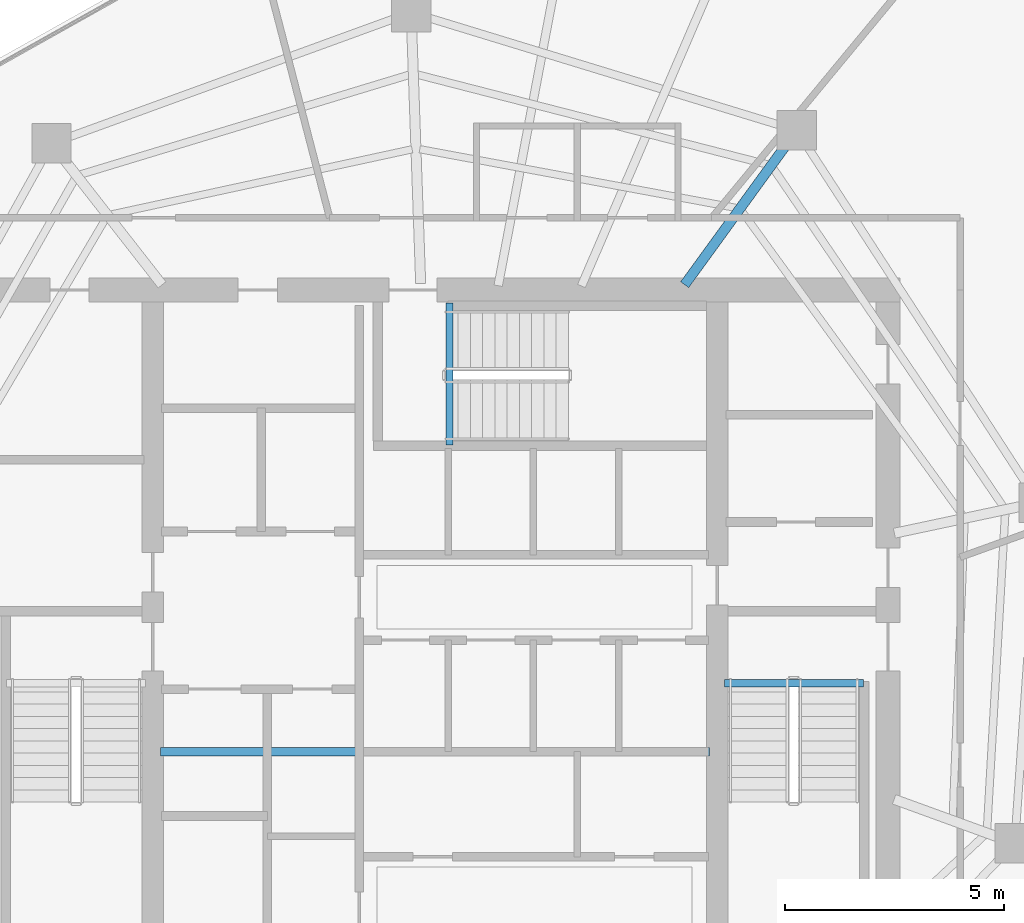
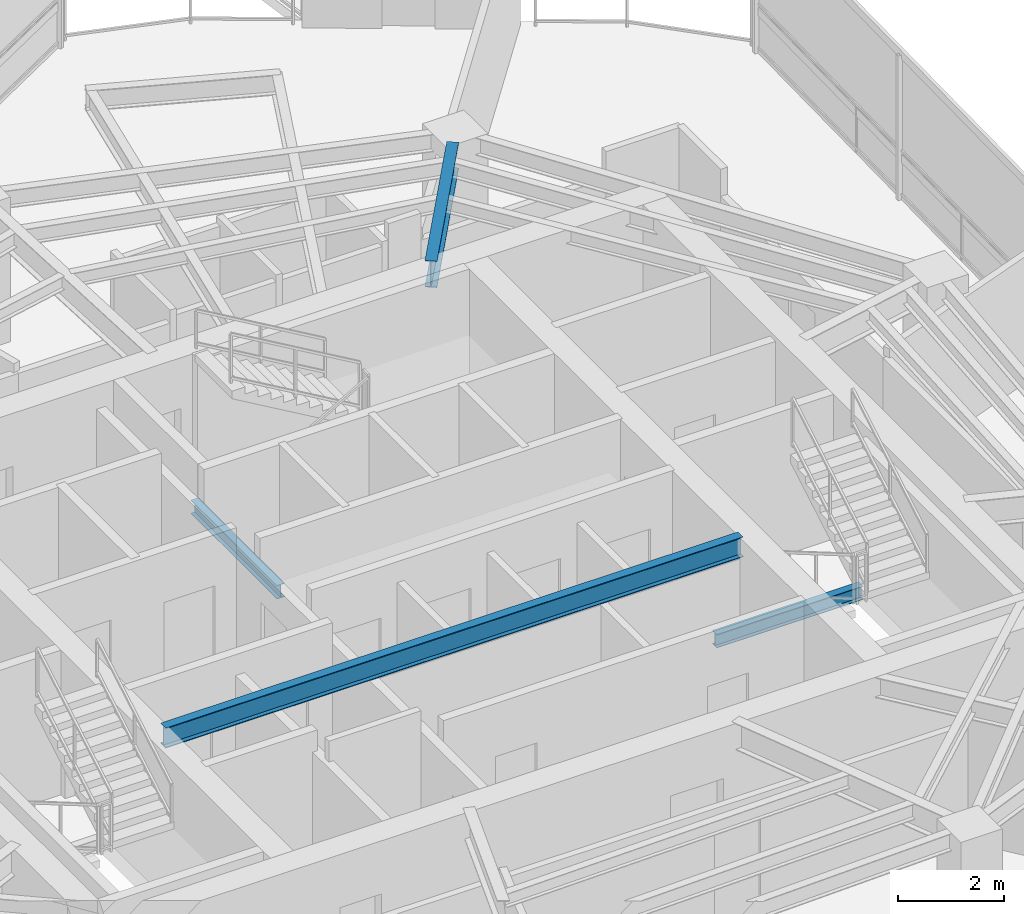
# One storey, part 6 of 18: 4 beams.
"""IFC4 building model written with IfcOpenShell, lengths in metres."""

from ifc_helpers import new_model, si_unit, direction, frame, origin, origin_2d, place, context, subcontext, project, spatial, i_section, extrude, material, material_profile, profile_set, type_object, element, save


model = new_model("IFC4")

# Units and contexts
model_context = context("Model", 3, precision=1e-05, world=origin(), true_north=direction((0.0, 1.0)))
body_context = subcontext(model_context, "Body", "Model", "MODEL_VIEW")
ifc_project = project(units=[si_unit("LENGTHUNIT", "METRE"), si_unit("AREAUNIT", "SQUARE_METRE"), si_unit("VOLUMEUNIT", "CUBIC_METRE"), si_unit("PLANEANGLEUNIT", "RADIAN"), si_unit("MASSUNIT", "GRAM", prefix="KILO")], contexts=[model_context])

# Site, building, storey
site_placement = place(None, origin())
site = spatial("IfcSite", under=ifc_project, at=site_placement, CompositionType="ELEMENT")
building_placement = place(site_placement, origin())
building = spatial("IfcBuilding", under=site, at=building_placement, Name="Qarnah Convention Tower", CompositionType="ELEMENT")
storey_placement = place(building_placement, frame((0.0, 0.0, 177.0)))
storey = spatial("IfcBuildingStorey", under=building, at=storey_placement, Name="L47", CompositionType="ELEMENT", Elevation=177.0)

# Beams
ifc_material = material(Name="Structural steel S355JR", Category="steel")
ifc_material_profile_1 = material_profile(ifc_material, i_section(OverallWidth=0.19189453125, OverallDepth=0.464111328125, WebThickness=0.010986328125, FlangeThickness=0.01806640625, at=origin_2d()), Name="W460X89")
ifc_profile_set_1 = profile_set([ifc_material_profile_1], Name="Structural steel S355JR")
beam_type_1 = type_object("IfcBeamType", Name="BM-CANT-W460A", PredefinedType="BEAM", material=ifc_profile_set_1)
beam_1_placement = place(storey_placement, frame((30.97998046875, 23.64990234375, 3.087890625), z_axis=(1.0, 0.0, 0.0), x_axis=(0.0, 1.0, 0.0)))
element("IfcBeam", 1, at=beam_1_placement, inside=storey, type_object=beam_type_1, Name="L47 beam BM-L47-KC1", PredefinedType="BEAM", context=body_context, shape_type="SweptSolid", body=[
    extrude(i_section(OverallWidth=0.19189453125, OverallDepth=0.464111328125, WebThickness=0.010986328125, FlangeThickness=0.01806640625, at=origin_2d()), origin(), (0.0, 0.0, 1.0), 12.5400390625),
])
ifc_material_profile_2 = material_profile(ifc_material, i_section(OverallWidth=0.166015625, OverallDepth=0.31201171875, WebThickness=0.007080078125, FlangeThickness=0.010986328125, at=origin_2d()), Name="W310X45")
ifc_profile_set_2 = profile_set([ifc_material_profile_2], Name="Structural steel S355JR")
beam_type_2 = type_object("IfcBeamType", Name="BM-JST-W310", PredefinedType="JOIST", material=ifc_profile_set_2)
beam_2_placement = place(storey_placement, frame((43.860107421875, 25.217041015625, -0.156005859375), z_axis=(1.0, 0.0, 0.0), x_axis=(0.0, 1.0, 0.0)))
element("IfcBeam", 2, at=beam_2_placement, inside=storey, type_object=beam_type_2, Name="L47 stair landing trimmer beam BM-L47-ST2-TRM", PredefinedType="BEAM", context=body_context, shape_type="SweptSolid", body=[
    extrude(i_section(OverallWidth=0.166015625, OverallDepth=0.31201171875, WebThickness=0.007080078125, FlangeThickness=0.010986328125, at=origin_2d()), origin(), (0.0, 0.0, 1.0), 3.179931640625),
])
beam_3_placement = place(storey_placement, frame((37.5830078125, 30.659912109375, -0.156005859375), z_axis=(0.0, 1.0, 0.0), x_axis=(-1.0, 0.0, 0.0)))
element("IfcBeam", 3, at=beam_3_placement, inside=storey, type_object=beam_type_2, Name="L47 stair landing trimmer beam BM-L47-ST3-TRM", PredefinedType="BEAM", context=body_context, shape_type="SweptSolid", body=[
    extrude(i_section(OverallWidth=0.166015625, OverallDepth=0.31201171875, WebThickness=0.007080078125, FlangeThickness=0.010986328125, at=origin_2d()), origin(), (0.0, 0.0, 1.0), 3.239990234375),
])
ifc_material_profile_3 = material_profile(ifc_material, i_section(OverallWidth=0.22802734375, OverallDepth=0.60791015625, WebThickness=0.010986328125, FlangeThickness=0.01708984375, at=origin_2d()), Name="W610X113")
ifc_profile_set_3 = profile_set([ifc_material_profile_3], Name="Structural steel S355JR")
beam_type_3 = type_object("IfcBeamType", Name="BM-RAD-W610B", PredefinedType="BEAM", material=ifc_profile_set_3)
beam_4_placement = place(storey_placement, frame((42.955078125, 34.321044921875, 3.01611328125), z_axis=(0.587650613849, 0.809114797815, 0.0), x_axis=(-0.809114797815, 0.587650613849, 0.0)))
element("IfcBeam", 4, at=beam_4_placement, inside=storey, type_object=beam_type_3, Name="L47 beam BM-L47-RAD-02", PredefinedType="BEAM", context=body_context, shape_type="SweptSolid", body=[
    extrude(i_section(OverallWidth=0.22802734375, OverallDepth=0.60791015625, WebThickness=0.010986328125, FlangeThickness=0.01708984375, at=origin_2d()), origin(), (0.0, 0.0, 1.0), 3.928955078125),
])

save(model, "model.ifc")
